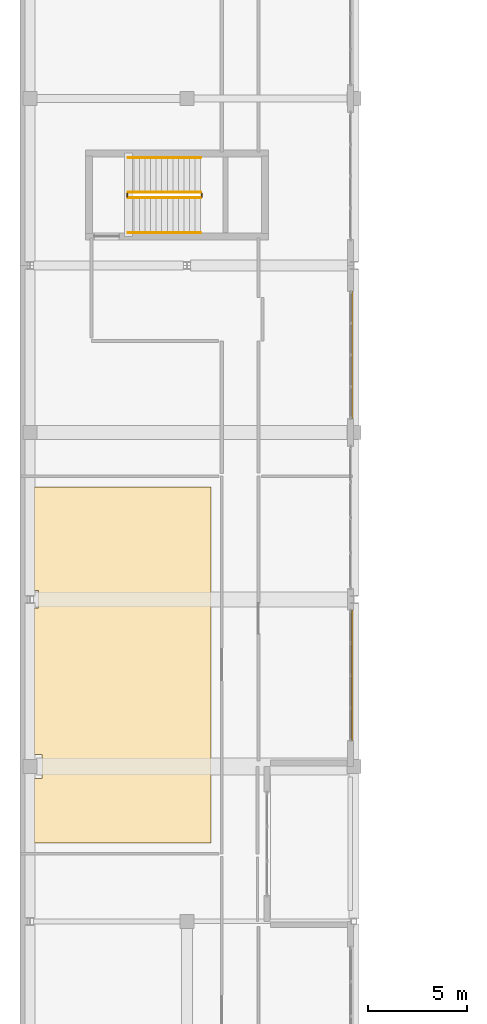
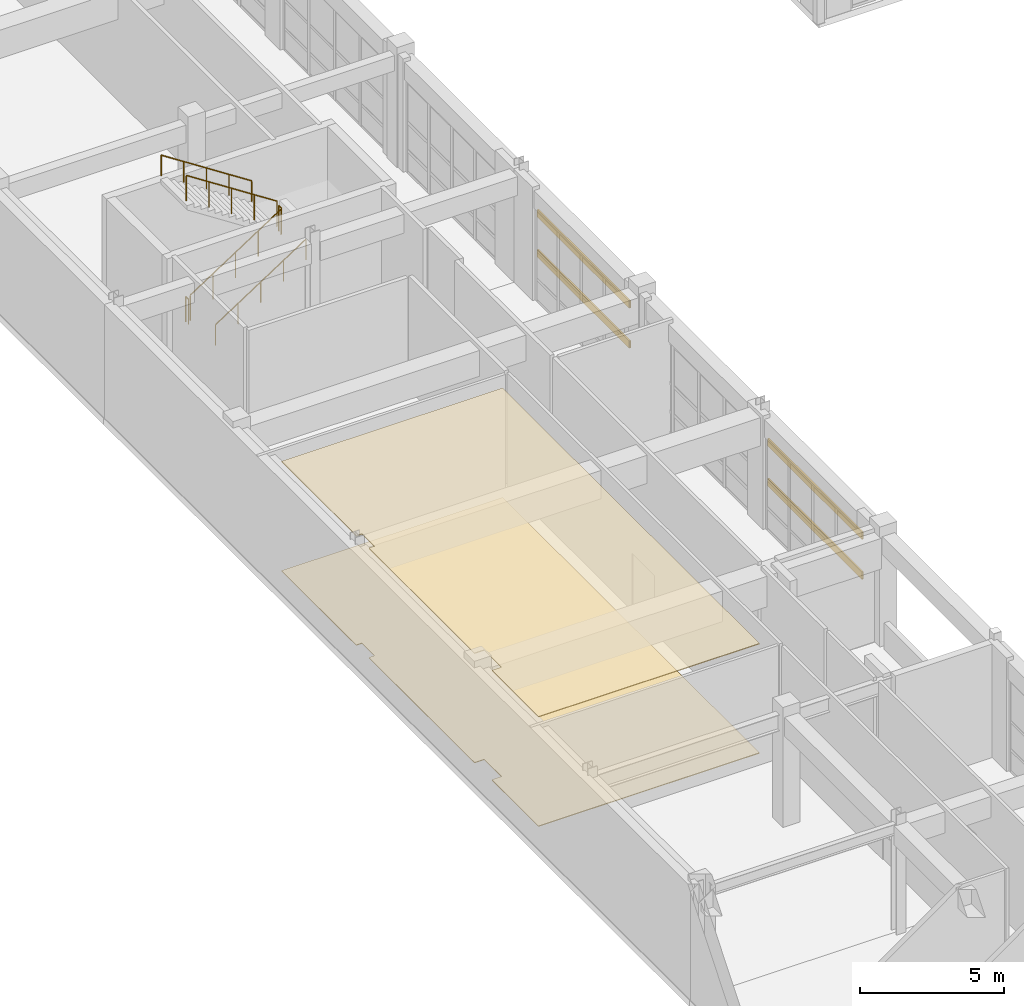
# One storey, part 69 of 78: 6 railings, 4 shading devices, 2 coverings.
"""IFC4 building model written with IfcOpenShell, lengths in metres."""

from ifc_helpers import new_model, si_unit, direction, frame, origin, origin_2d, place, context, subcontext, project, spatial, polyline, hollow_rectangle, circle, outline, extrude, material, layer, layer_set, material_profile, profile_set, type_object, element, save


model = new_model("IFC4")

# Units and contexts
model_context = context("Model", 3, precision=1e-05, world=origin(), true_north=direction((0.0, 1.0)))
body_context = subcontext(model_context, "Body", "Model", "MODEL_VIEW")
ifc_project = project(units=[si_unit("LENGTHUNIT", "METRE"), si_unit("AREAUNIT", "SQUARE_METRE"), si_unit("VOLUMEUNIT", "CUBIC_METRE"), si_unit("PLANEANGLEUNIT", "RADIAN"), si_unit("MASSUNIT", "GRAM", prefix="KILO")], contexts=[model_context])

# Site, building, storey
site_placement = place(None, origin())
site = spatial("IfcSite", under=ifc_project, at=site_placement, CompositionType="ELEMENT")
building_placement = place(site_placement, origin())
building = spatial("IfcBuilding", under=site, at=building_placement, Name="Quendrovan Civic Courthouse", CompositionType="ELEMENT")
storey_placement = place(building_placement, frame((0.0, 0.0, 10.199951171875)))
storey = spatial("IfcBuildingStorey", under=building, at=storey_placement, Name="L03", CompositionType="ELEMENT", Elevation=10.199951171875)

# Coverings
ifc_material_1 = material(Name="Perforated Western Red Cedar and mineral acoustic ceiling")
ifc_layer_1 = layer(ifc_material_1, 0.034912109375, Name="Perforated Western Red Cedar and mineral acoustic ceiling")
ifc_layer_set_1 = layer_set([ifc_layer_1], Name="Perforated Western Red Cedar and mineral acoustic ceiling")
covering_type_1 = type_object("IfcCoveringType", Name="COV-CEIL-ACOUSTIC", PredefinedType="CEILING", material=ifc_layer_set_1)
covering_1_placement = place(storey_placement, frame((0.0, 0.0, 4.64501953125)))
element("IfcCovering", 1, at=covering_1_placement, inside=storey, type_object=covering_type_1, Name="L03 Law Library Periodicals Reading Room Acoustic Ceiling", PredefinedType="CEILING", context=body_context, shape_type="SweptSolid", body=[
    extrude(outline(polyline([(0.93701171875, 40.035888671875), (0.7099609375, 40.035888671875), (0.7099609375, 45.25), (9.60009765625, 45.25), (9.60009765625, 27.35009765625), (0.7099609375, 27.35009765625), (0.7099609375, 30.60009765625), (1.10009765625, 30.60009765625), (1.10009765625, 31.800048828125), (0.7099609375, 31.800048828125), (0.7099609375, 39.1640625), (0.93701171875, 39.1640625), (0.93701171875, 40.035888671875)])), origin(), (0.0, 0.0, 1.0), 0.034912109375),
])
ifc_material_2 = material(Name="Honed Dominican coralina limestone flooring", Category="masonry")
ifc_layer_2 = layer(ifc_material_2, 0.030029296875, Name="Honed Dominican coralina limestone flooring")
ifc_layer_set_2 = layer_set([ifc_layer_2], Name="Honed Dominican coralina limestone flooring")
covering_type_2 = type_object("IfcCoveringType", Name="COV-FLOR-STONE", PredefinedType="FLOORING", material=ifc_layer_set_2)
covering_2_placement = place(storey_placement, origin())
element("IfcCovering", 2, at=covering_2_placement, inside=storey, type_object=covering_type_2, Name="L03 Law Library Periodicals Reading Room Finish Flooring", PredefinedType="FLOORING", context=body_context, shape_type="SweptSolid", body=[
    extrude(outline(polyline([(0.93701171875, 40.035888671875), (0.7099609375, 40.035888671875), (0.7099609375, 45.25), (9.60009765625, 45.25), (9.60009765625, 27.35009765625), (0.7099609375, 27.35009765625), (0.7099609375, 30.60009765625), (1.10009765625, 30.60009765625), (1.10009765625, 31.800048828125), (0.7099609375, 31.800048828125), (0.7099609375, 39.1640625), (0.93701171875, 39.1640625), (0.93701171875, 40.035888671875)])), origin(), (0.0, 0.0, 1.0), 0.030029296875),
])

# Railings
ifc_material_3 = material(Name="Painted galvanized steel", Category="steel")
railing_type_1 = type_object("IfcRailingType", Name="RL-STR-GUARD1100", PredefinedType="GUARDRAIL", material=ifc_material_3)
railing_1_placement = place(storey_placement, frame((5.449951171875, 59.800048828125, 0.18212890625)))
element("IfcRailing", 3, at=railing_1_placement, inside=storey, type_object=railing_type_1, Name="L03 ST4 stair guard 1", PredefinedType="GUARDRAIL", context=body_context, shape_type="SweptSolid", body=[
    extrude(circle(Radius=0.02392578125, at=origin_2d()), frame((0.0, 0.0, 1.076171875), z_axis=(0.83825089185, 0.0, 0.545284735081), x_axis=(0.0, 1.0, 0.0)), (0.0, 0.0, 1.0), 4.342529296875),
    extrude(circle(Radius=0.02099609375, at=origin_2d()), origin(), (0.0, 0.0, 1.0), 1.052001953125),
    extrude(circle(Radius=0.02099609375, at=origin_2d()), frame((0.91015625, 0.0, 0.592041015625)), (0.0, 0.0, 1.0), 1.052001953125),
    extrude(circle(Radius=0.02099609375, at=origin_2d()), frame((1.820068359375, 0.0, 1.18408203125)), (0.0, 0.0, 1.0), 1.052001953125),
    extrude(circle(Radius=0.02099609375, at=origin_2d()), frame((2.72998046875, 0.0, 1.77587890625)), (0.0, 0.0, 1.0), 1.052001953125),
    extrude(circle(Radius=0.02099609375, at=origin_2d()), frame((3.64013671875, 0.0, 2.367919921875)), (0.0, 0.0, 1.0), 1.052001953125),
])
railing_2_placement = place(storey_placement, frame((9.139892578125, 59.85009765625, 2.550048828125)))
element("IfcRailing", 4, at=railing_2_placement, inside=storey, type_object=railing_type_1, Name="L03 ST4 stair guard 2", PredefinedType="GUARDRAIL", context=body_context, shape_type="SweptSolid", body=[
    extrude(circle(Radius=0.02392578125, at=origin_2d()), frame((0.0, 0.0, 1.076171875), z_axis=(0.0, 1.0, 0.0), x_axis=(-1.0, 0.0, 0.0)), (0.0, 0.0, 1.0), 0.179931640625),
    extrude(circle(Radius=0.02099609375, at=origin_2d()), origin(), (0.0, 0.0, 1.0), 1.052001953125),
    extrude(circle(Radius=0.02099609375, at=origin_2d()), frame((0.0, 0.179931640625, 0.0)), (0.0, 0.0, 1.0), 1.052001953125),
])
railing_3_placement = place(storey_placement, frame((9.090087890625, 60.080078125, 2.732177734375)))
element("IfcRailing", 5, at=railing_3_placement, inside=storey, type_object=railing_type_1, Name="L03 ST4 stair guard 3", PredefinedType="GUARDRAIL", context=body_context, shape_type="SweptSolid", body=[
    extrude(circle(Radius=0.02392578125, at=origin_2d()), frame((0.0, 0.0, 1.076171875), z_axis=(-0.83825089185, 0.0, 0.545284735081), x_axis=(0.0, -1.0, 0.0)), (0.0, 0.0, 1.0), 4.342529296875),
    extrude(circle(Radius=0.02099609375, at=origin_2d()), origin(), (0.0, 0.0, 1.0), 1.052001953125),
    extrude(circle(Radius=0.02099609375, at=origin_2d()), frame((-0.91015625, 0.0, 0.592041015625)), (0.0, 0.0, 1.0), 1.052001953125),
    extrude(circle(Radius=0.02099609375, at=origin_2d()), frame((-1.820068359375, 0.0, 1.18408203125)), (0.0, 0.0, 1.0), 1.052001953125),
    extrude(circle(Radius=0.02099609375, at=origin_2d()), frame((-2.72998046875, 0.0, 1.77587890625)), (0.0, 0.0, 1.0), 1.052001953125),
    extrude(circle(Radius=0.02099609375, at=origin_2d()), frame((-3.64013671875, 0.0, 2.367919921875)), (0.0, 0.0, 1.0), 1.052001953125),
])
railing_4_placement = place(storey_placement, frame((5.39990234375, 59.85009765625, 0.0)))
element("IfcRailing", 6, at=railing_4_placement, inside=storey, type_object=railing_type_1, Name="L03 ST4 stair guard 4", PredefinedType="GUARDRAIL", context=body_context, shape_type="SweptSolid", body=[
    extrude(circle(Radius=0.02392578125, at=origin_2d()), frame((0.0, 0.0, 1.076171875), z_axis=(0.0, 1.0, 0.0), x_axis=(-1.0, 0.0, 0.0)), (0.0, 0.0, 1.0), 0.179931640625),
    extrude(circle(Radius=0.02099609375, at=origin_2d()), origin(), (0.0, 0.0, 1.0), 1.052001953125),
    extrude(circle(Radius=0.02099609375, at=origin_2d()), frame((0.0, 0.179931640625, 0.0)), (0.0, 0.0, 1.0), 1.052001953125),
])
ifc_material_4 = material(Name="Bronze anodised aluminium", Category="aluminium")
railing_type_2 = type_object("IfcRailingType", Name="RL-STR-HAND900", PredefinedType="HANDRAIL", material=ifc_material_4)
railing_5_placement = place(storey_placement, frame((5.449951171875, 58.050048828125, 0.18212890625)))
element("IfcRailing", 7, at=railing_5_placement, inside=storey, type_object=railing_type_2, Name="L03 ST4 stair handrail 1", PredefinedType="HANDRAIL", context=body_context, shape_type="SweptSolid", body=[
    extrude(circle(Radius=0.02392578125, at=origin_2d()), frame((0.0, 0.0, 0.8759765625), z_axis=(0.83825089185, 0.0, 0.545284735081), x_axis=(0.0, 1.0, 0.0)), (0.0, 0.0, 1.0), 4.342529296875),
    extrude(circle(Radius=0.02099609375, at=origin_2d()), origin(), (0.0, 0.0, 1.0), 0.851806640625),
    extrude(circle(Radius=0.02099609375, at=origin_2d()), frame((0.91015625, 0.0, 0.592041015625)), (0.0, 0.0, 1.0), 0.851806640625),
    extrude(circle(Radius=0.02099609375, at=origin_2d()), frame((1.820068359375, 0.0, 1.18408203125)), (0.0, 0.0, 1.0), 0.851806640625),
    extrude(circle(Radius=0.02099609375, at=origin_2d()), frame((2.72998046875, 0.0, 1.77587890625)), (0.0, 0.0, 1.0), 0.851806640625),
    extrude(circle(Radius=0.02099609375, at=origin_2d()), frame((3.64013671875, 0.0, 2.367919921875)), (0.0, 0.0, 1.0), 0.851806640625),
])
railing_6_placement = place(storey_placement, frame((9.090087890625, 61.830078125, 2.732177734375)))
element("IfcRailing", 8, at=railing_6_placement, inside=storey, type_object=railing_type_2, Name="L03 ST4 stair handrail 2", PredefinedType="HANDRAIL", context=body_context, shape_type="SweptSolid", body=[
    extrude(circle(Radius=0.02392578125, at=origin_2d()), frame((0.0, 0.0, 0.8759765625), z_axis=(-0.83825089185, 0.0, 0.545284735081), x_axis=(0.0, -1.0, 0.0)), (0.0, 0.0, 1.0), 4.342529296875),
    extrude(circle(Radius=0.02099609375, at=origin_2d()), origin(), (0.0, 0.0, 1.0), 0.851806640625),
    extrude(circle(Radius=0.02099609375, at=origin_2d()), frame((-0.91015625, 0.0, 0.592041015625)), (0.0, 0.0, 1.0), 0.851806640625),
    extrude(circle(Radius=0.02099609375, at=origin_2d()), frame((-1.820068359375, 0.0, 1.18408203125)), (0.0, 0.0, 1.0), 0.851806640625),
    extrude(circle(Radius=0.02099609375, at=origin_2d()), frame((-2.72998046875, 0.0, 1.77587890625)), (0.0, 0.0, 1.0), 0.851806640625),
    extrude(circle(Radius=0.02099609375, at=origin_2d()), frame((-3.64013671875, 0.0, 2.367919921875)), (0.0, 0.0, 1.0), 0.851806640625),
])

# Shading devices
ifc_material_profile = material_profile(ifc_material_4, hollow_rectangle(XDim=0.06494140625, YDim=0.320068359375, WallThickness=0.0048828125, at=origin_2d()), Name="AL-LOUVRE-65x320")
ifc_profile_set = profile_set([ifc_material_profile], Name="Bronze anodised aluminium")
shading_device_type = type_object("IfcShadingDeviceType", Name="SHD-STORM-LOUVRE", PredefinedType="JALOUSIE", material=ifc_profile_set)
for number, where, z_axis, x_axis, name in (
    (9, (16.715087890625, 55.10009765625, 1.949951171875), (0.0, -1.0, 0.0), (1.0, 0.0, 0.0), "L03 Bronze Hurricane Storm Louvre SLV-123"),
    (10, (16.715087890625, 55.10009765625, 3.650146484375), (0.0, -1.0, 0.0), (1.0, 0.0, 0.0), "L03 Bronze Hurricane Storm Louvre SLV-124"),
):
    element("IfcShadingDevice", number, at=place(storey_placement, frame(where, z_axis=z_axis, x_axis=x_axis)), inside=storey, type_object=shading_device_type, Name=name, PredefinedType="JALOUSIE", context=body_context, shape_type="SweptSolid", body=[
        extrude(hollow_rectangle(XDim=0.06494140625, YDim=0.320068359375, WallThickness=0.0048828125, at=origin_2d()), origin(), (0.0, 0.0, 1.0), 6.400146484375),
    ])
for number, where, z_axis, x_axis, name in (
    (11, (16.715087890625, 39.06298828125, 1.949951171875), (0.0, -1.0, 0.0), (1.0, 0.0, 0.0), "L03 Bronze Hurricane Storm Louvre SLV-125"),
    (12, (16.715087890625, 39.06298828125, 3.650146484375), (0.0, -1.0, 0.0), (1.0, 0.0, 0.0), "L03 Bronze Hurricane Storm Louvre SLV-126"),
):
    element("IfcShadingDevice", number, at=place(storey_placement, frame(where, z_axis=z_axis, x_axis=x_axis)), inside=storey, type_object=shading_device_type, Name=name, PredefinedType="JALOUSIE", context=body_context, shape_type="SweptSolid", body=[
        extrude(hollow_rectangle(XDim=0.06494140625, YDim=0.320068359375, WallThickness=0.0048828125, at=origin_2d()), origin(), (0.0, 0.0, 1.0), 6.56298828125),
    ])

save(model, "model.ifc")
